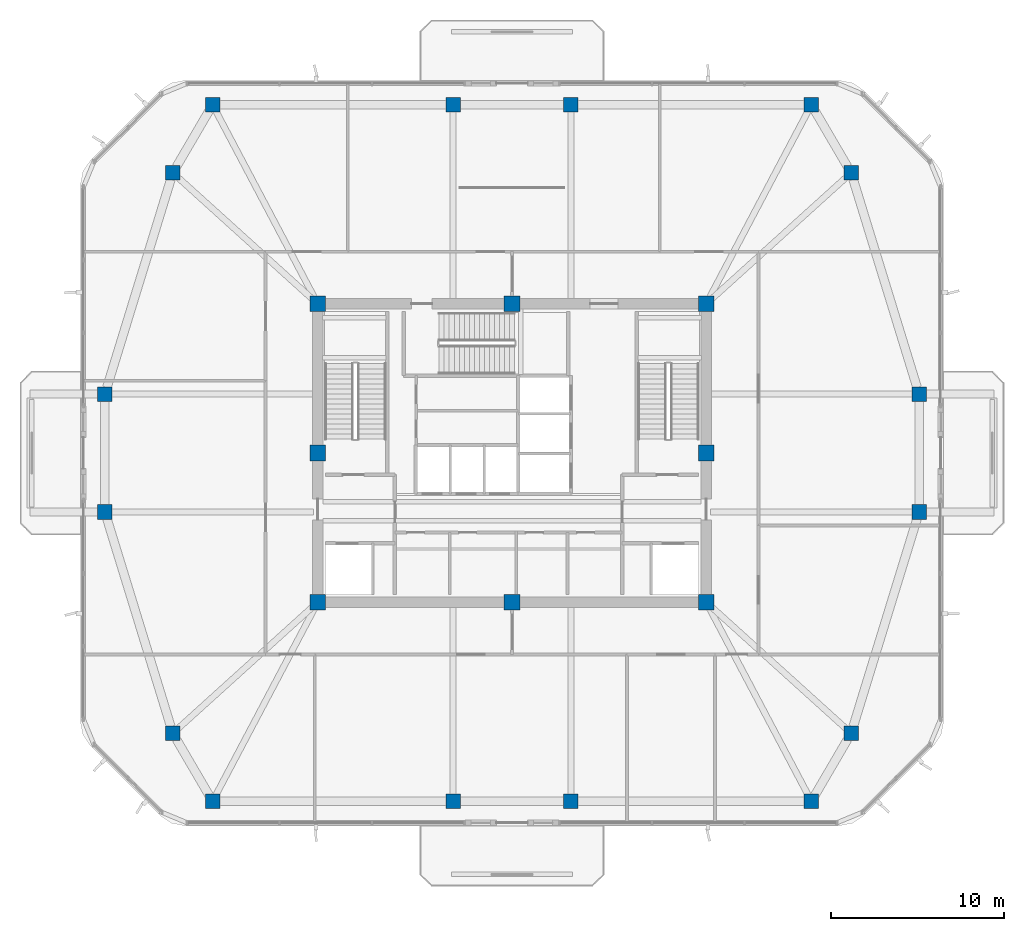
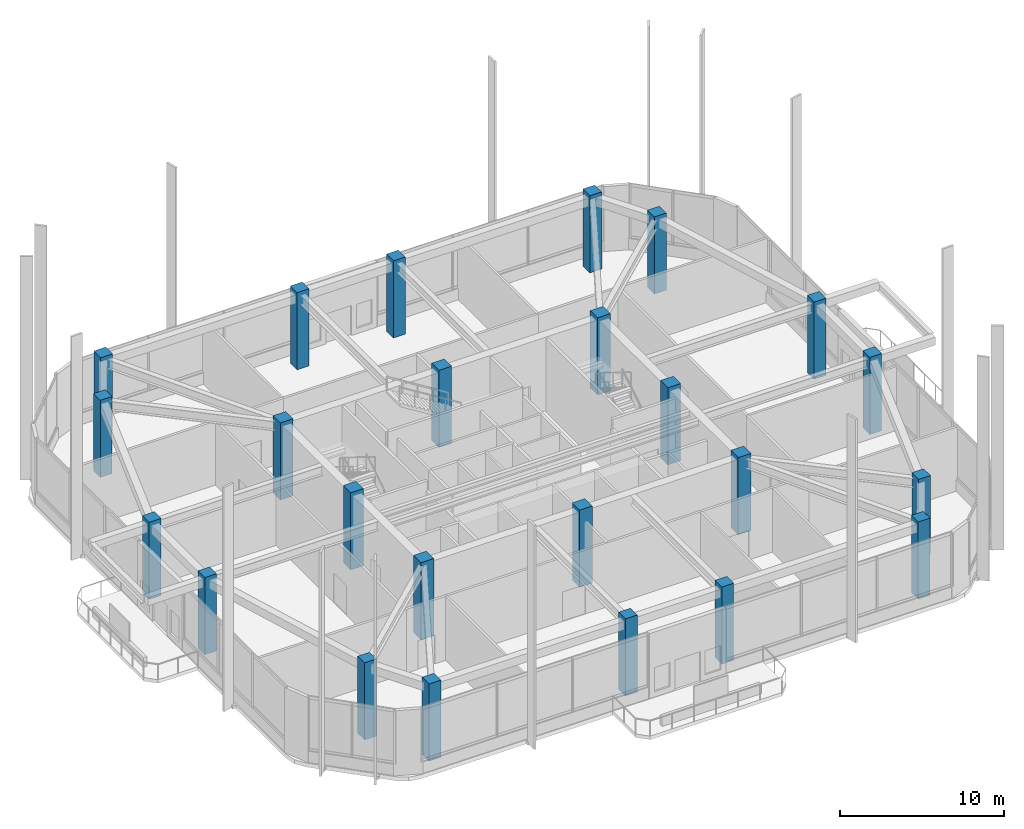
# One storey, part 1 of 14: 24 columns.
"""IFC4 building model written with IfcOpenShell, lengths in metres."""

from ifc_helpers import new_model, si_unit, derived_unit, direction, frame, origin, origin_2d, place, context, subcontext, project, spatial, rectangle, extrude, material, material_profile, profile_set, type_object, element, save


model = new_model("IFC4")

# Units and contexts
model_context = context("Model", 3, precision=1e-05, world=origin(), true_north=direction((0.0, 1.0)))
body_context = subcontext(model_context, "Body", "Model", "MODEL_VIEW")
ifc_project = project(units=[si_unit("LENGTHUNIT", "METRE"), si_unit("AREAUNIT", "SQUARE_METRE"), si_unit("VOLUMEUNIT", "CUBIC_METRE"), si_unit("PLANEANGLEUNIT", "RADIAN"), si_unit("MASSUNIT", "GRAM", prefix="KILO"), derived_unit("THERMALTRANSMITTANCEUNIT", [(si_unit("POWERUNIT", "WATT"), 1), (si_unit("LENGTHUNIT", "METRE"), -2), (si_unit("THERMODYNAMICTEMPERATUREUNIT", "KELVIN"), -1)])], contexts=[model_context])

# Site, building, storey
site_placement = place(None, origin())
site = spatial("IfcSite", under=ifc_project, at=site_placement, CompositionType="ELEMENT")
building_placement = place(site_placement, origin())
building = spatial("IfcBuilding", under=site, at=building_placement, Name="Koralith Skygarden Medical Center", CompositionType="ELEMENT")
storey_placement = place(building_placement, frame((0.0, 0.0, 237.06005859375)))
storey = spatial("IfcBuildingStorey", under=building, at=storey_placement, Name="L61", CompositionType="ELEMENT", Elevation=237.06005859375)

# Columns
ifc_material = material(Name="Concrete C55/67", Category="concrete")
ifc_material_profile_1 = material_profile(ifc_material, rectangle(XDim=0.89990234375, YDim=0.89990234375, at=origin_2d()), Name="RC900X900")
ifc_profile_set_1 = profile_set([ifc_material_profile_1], Name="Concrete C55/67")
column_type_1 = type_object("IfcColumnType", Name="Core Column C55 RC900", PredefinedType="COLUMN", material=ifc_profile_set_1)
for number, where, z_axis, x_axis, name in (
    (1, (25.800048828125, 17.300048828125, 0.0), (0.0, 0.0, 1.0), (1.0, 0.0, 0.0), "L61 Core Column CC-01"),
    (2, (37.0, 17.300048828125, 0.0), (0.0, 0.0, 1.0), (1.0, 0.0, 0.0), "L61 Core Column CC-02"),
    (3, (48.199951171875, 17.300048828125, 0.0), (0.0, 0.0, 1.0), (1.0, 0.0, 0.0), "L61 Core Column CC-03"),
    (4, (48.199951171875, 25.89990234375, 0.0), (0.0, 0.0, 1.0), (1.0, 0.0, 0.0), "L61 Core Column CC-04"),
    (5, (48.199951171875, 34.5, 0.0), (0.0, 0.0, 1.0), (1.0, 0.0, 0.0), "L61 Core Column CC-05"),
    (6, (37.0, 34.5, 0.0), (0.0, 0.0, 1.0), (1.0, 0.0, 0.0), "L61 Core Column CC-06"),
    (7, (25.800048828125, 34.5, 0.0), (0.0, 0.0, 1.0), (1.0, 0.0, 0.0), "L61 Core Column CC-07"),
    (8, (25.800048828125, 25.89990234375, 0.0), (0.0, 0.0, 1.0), (1.0, 0.0, 0.0), "L61 Core Column CC-08"),
):
    element("IfcColumn", number, at=place(storey_placement, frame(where, z_axis=z_axis, x_axis=x_axis)), inside=storey, type_object=column_type_1, Name=name, PredefinedType="COLUMN", context=body_context, shape_type="SweptSolid", body=[
        extrude(rectangle(XDim=0.89990234375, YDim=0.89990234375, at=origin_2d()), origin(), (0.0, 0.0, 1.0), 5.760009765625),
    ])
ifc_material_profile_2 = material_profile(ifc_material, rectangle(XDim=0.840087890625, YDim=0.840087890625, at=origin_2d()), Name="RC840X840")
ifc_profile_set_2 = profile_set([ifc_material_profile_2], Name="Concrete C55/67")
column_type_2 = type_object("IfcColumnType", Name="Zone 5 Upper Mega-Column C55 RC840", PredefinedType="COLUMN", material=ifc_profile_set_2)
for number, where, z_axis, x_axis, name in (
    (9, (13.52001953125, 22.5, 0.0), (0.0, 0.0, 1.0), (1.0, 0.0, 0.0), "L61 Perimeter Mega-Column MC-01"),
    (10, (17.43994140625, 9.739990234375, 0.0), (0.0, 0.0, 1.0), (1.0, 0.0, 0.0), "L61 Perimeter Mega-Column MC-02"),
    (11, (19.73193359375, 5.820068359375, 0.0), (0.0, 0.0, 1.0), (1.0, 0.0, 0.0), "L61 Perimeter Mega-Column MC-03"),
    (12, (33.60009765625, 5.820068359375, 0.0), (0.0, 0.0, 1.0), (1.0, 0.0, 0.0), "L61 Perimeter Mega-Column MC-04"),
    (13, (40.39990234375, 5.820068359375, 0.0), (0.0, 0.0, 1.0), (1.0, 0.0, 0.0), "L61 Perimeter Mega-Column MC-05"),
    (14, (54.26806640625, 5.820068359375, 0.0), (0.0, 0.0, 1.0), (1.0, 0.0, 0.0), "L61 Perimeter Mega-Column MC-06"),
    (15, (56.56005859375, 9.739990234375, 0.0), (0.0, 0.0, 1.0), (1.0, 0.0, 0.0), "L61 Perimeter Mega-Column MC-07"),
    (16, (60.47998046875, 22.5, 0.0), (0.0, 0.0, 1.0), (1.0, 0.0, 0.0), "L61 Perimeter Mega-Column MC-08"),
    (17, (60.47998046875, 29.300048828125, 0.0), (0.0, 0.0, 1.0), (1.0, 0.0, 0.0), "L61 Perimeter Mega-Column MC-09"),
    (18, (56.56005859375, 42.06005859375, 0.0), (0.0, 0.0, 1.0), (1.0, 0.0, 0.0), "L61 Perimeter Mega-Column MC-10"),
    (19, (54.26806640625, 45.97998046875, 0.0), (0.0, 0.0, 1.0), (1.0, 0.0, 0.0), "L61 Perimeter Mega-Column MC-11"),
    (20, (40.39990234375, 45.97998046875, 0.0), (0.0, 0.0, 1.0), (1.0, 0.0, 0.0), "L61 Perimeter Mega-Column MC-12"),
    (21, (33.60009765625, 45.97998046875, 0.0), (0.0, 0.0, 1.0), (1.0, 0.0, 0.0), "L61 Perimeter Mega-Column MC-13"),
    (22, (19.73193359375, 45.97998046875, 0.0), (0.0, 0.0, 1.0), (1.0, 0.0, 0.0), "L61 Perimeter Mega-Column MC-14"),
    (23, (17.43994140625, 42.06005859375, 0.0), (0.0, 0.0, 1.0), (1.0, 0.0, 0.0), "L61 Perimeter Mega-Column MC-15"),
    (24, (13.52001953125, 29.300048828125, 0.0), (0.0, 0.0, 1.0), (1.0, 0.0, 0.0), "L61 Perimeter Mega-Column MC-16"),
):
    element("IfcColumn", number, at=place(storey_placement, frame(where, z_axis=z_axis, x_axis=x_axis)), inside=storey, type_object=column_type_2, Name=name, PredefinedType="COLUMN", context=body_context, shape_type="SweptSolid", body=[
        extrude(rectangle(XDim=0.840087890625, YDim=0.840087890625, at=origin_2d()), origin(), (0.0, 0.0, 1.0), 5.760009765625),
    ])

save(model, "model.ifc")
